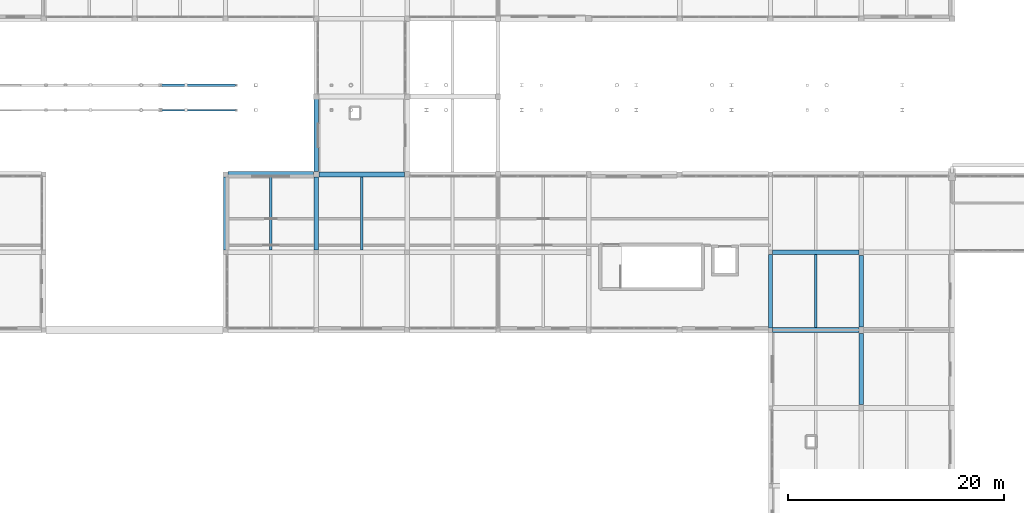
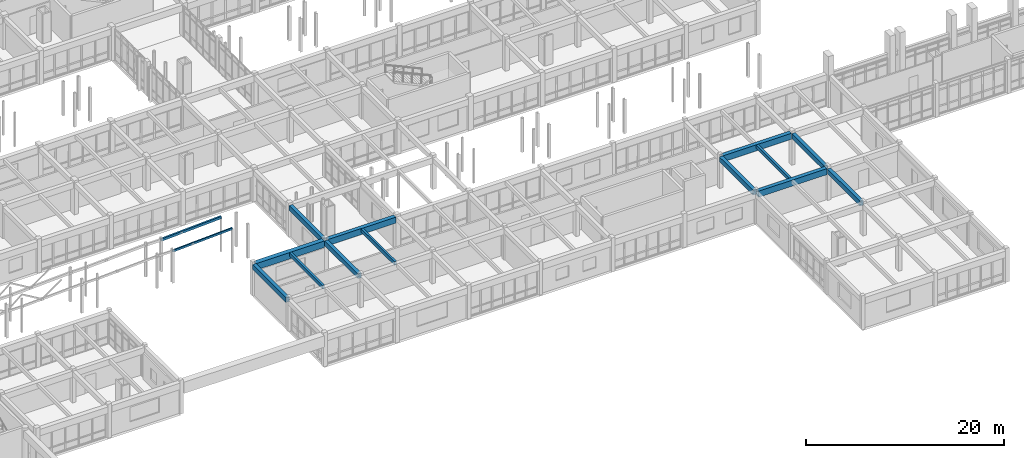
# One storey, part 45 of 147: 13 beams, 2 members.
"""IFC4 building model written with IfcOpenShell, lengths in metres."""

from ifc_helpers import new_model, si_unit, direction, frame, origin, origin_2d, place, context, subcontext, project, spatial, rectangle, hollow_rectangle, extrude, material, material_profile, profile_set, type_object, element, save


model = new_model("IFC4")

# Units and contexts
model_context = context("Model", 3, precision=1e-05, world=origin(), true_north=direction((0.0, 1.0)))
body_context = subcontext(model_context, "Body", "Model", "MODEL_VIEW")
ifc_project = project(units=[si_unit("LENGTHUNIT", "METRE"), si_unit("AREAUNIT", "SQUARE_METRE"), si_unit("VOLUMEUNIT", "CUBIC_METRE"), si_unit("PLANEANGLEUNIT", "RADIAN"), si_unit("MASSUNIT", "GRAM", prefix="KILO")], contexts=[model_context])

# Site, building, storey
site_placement = place(None, origin())
site = spatial("IfcSite", under=ifc_project, at=site_placement, CompositionType="ELEMENT")
building_placement = place(site_placement, origin())
building = spatial("IfcBuilding", under=site, at=building_placement, Name="Malvenik Polytechnic", CompositionType="ELEMENT")
storey_placement = place(building_placement, frame((0.0, 0.0, 5.10009765625)))
storey = spatial("IfcBuildingStorey", under=building, at=storey_placement, Name="L01", CompositionType="ELEMENT", Elevation=5.10009765625)

# Beams
ifc_material_1 = material(Name="Concrete C35/45", Category="concrete")
ifc_material_profile_1 = material_profile(ifc_material_1, rectangle(XDim=0.449951171875, YDim=0.75, at=origin_2d()), Name="RC BM 450x750")
ifc_profile_set_1 = profile_set([ifc_material_profile_1], Name="Concrete C35/45")
beam_type_1 = type_object("IfcBeamType", Name="STR-BM-B-03", PredefinedType="BEAM", material=ifc_profile_set_1)
for number, where, z_axis, x_axis, name in (
    (1, (117.798095703125, 21.60009765625, 3.544921875), (1.0, 0.0, 0.0), (0.0, 1.0, 0.0), "Primary Beam B-03 L01 #977"),
    (2, (117.798095703125, 28.800048828125, 3.544921875), (1.0, 0.0, 0.0), (0.0, 1.0, 0.0), "Primary Beam B-03 L01 #985"),
):
    element("IfcBeam", number, at=place(storey_placement, frame(where, z_axis=z_axis, x_axis=x_axis)), inside=storey, type_object=beam_type_1, Name=name, PredefinedType="BEAM", context=body_context, shape_type="SweptSolid", body=[
        extrude(rectangle(XDim=0.449951171875, YDim=0.75, at=origin_2d()), origin(), (0.0, 0.0, 1.0), 8.00390625),
    ])
beam_1_placement = place(storey_placement, frame((75.847900390625, 36.0, 3.544921875), z_axis=(1.0, 0.0, 0.0), x_axis=(0.0, 1.0, 0.0)))
element("IfcBeam", 3, at=beam_1_placement, inside=storey, type_object=beam_type_1, Name="Primary Beam B-03 L01 #991", PredefinedType="BEAM", context=body_context, shape_type="SweptSolid", body=[
    extrude(rectangle(XDim=0.449951171875, YDim=0.75, at=origin_2d()), origin(), (0.0, 0.0, 1.0), 7.904052734375),
])
ifc_material_profile_2 = material_profile(ifc_material_1, rectangle(XDim=0.39990234375, YDim=0.60009765625, at=origin_2d()), Name="RC BM 400x600")
ifc_profile_set_2 = profile_set([ifc_material_profile_2], Name="Concrete C35/45")
beam_type_2 = type_object("IfcBeamType", Name="STR-BM-B-06", PredefinedType="BEAM", material=ifc_profile_set_2)
beam_2_placement = place(storey_placement, frame((67.199951171875, 29.02294921875, 3.619873046875), z_axis=(0.0, 1.0, 0.0), x_axis=(-1.0, 0.0, 0.0)))
element("IfcBeam", 4, at=beam_2_placement, inside=storey, type_object=beam_type_2, Name="Transverse Beam B-06 L01 #1172", PredefinedType="BEAM", context=body_context, shape_type="SweptSolid", body=[
    extrude(rectangle(XDim=0.39990234375, YDim=0.60009765625, at=origin_2d()), origin(), (0.0, 0.0, 1.0), 6.754150390625),
])
beam_3_placement = place(storey_placement, frame((75.60009765625, 29.02294921875, 3.619873046875), z_axis=(0.0, 1.0, 0.0), x_axis=(-1.0, 0.0, 0.0)))
element("IfcBeam", 5, at=beam_3_placement, inside=storey, type_object=beam_type_2, Name="Transverse Beam B-06 L01 #1180", PredefinedType="BEAM", context=body_context, shape_type="SweptSolid", body=[
    extrude(rectangle(XDim=0.39990234375, YDim=0.60009765625, at=origin_2d()), origin(), (0.0, 0.0, 1.0), 6.72900390625),
])
beam_4_placement = place(storey_placement, frame((75.60009765625, 36.248046875, 3.619873046875), z_axis=(0.0, 1.0, 0.0), x_axis=(-1.0, 0.0, 0.0)))
element("IfcBeam", 6, at=beam_4_placement, inside=storey, type_object=beam_type_2, Name="Transverse Beam B-06 L01 #1181", PredefinedType="BEAM", context=body_context, shape_type="SweptSolid", body=[
    extrude(rectangle(XDim=0.39990234375, YDim=0.60009765625, at=origin_2d()), origin(), (0.0, 0.0, 1.0), 6.703857421875),
])
beam_5_placement = place(storey_placement, frame((117.60009765625, 21.798095703125, 3.619873046875), z_axis=(0.0, 1.0, 0.0), x_axis=(-1.0, 0.0, 0.0)))
element("IfcBeam", 7, at=beam_5_placement, inside=storey, type_object=beam_type_2, Name="Transverse Beam B-06 L01 #1220", PredefinedType="BEAM", context=body_context, shape_type="SweptSolid", body=[
    extrude(rectangle(XDim=0.39990234375, YDim=0.60009765625, at=origin_2d()), origin(), (0.0, 0.0, 1.0), 6.803955078125),
])
for number, where, z_axis, x_axis, name in (
    (8, (126.0, 14.697998046875, 3.619873046875), (0.0, 1.0, 0.0), (-1.0, 0.0, 0.0), "Transverse Beam B-06 L01 #1230"),
    (9, (126.0, 21.89794921875, 3.619873046875), (0.0, 1.0, 0.0), (-1.0, 0.0, 0.0), "Transverse Beam B-06 L01 #1231"),
):
    element("IfcBeam", number, at=place(storey_placement, frame(where, z_axis=z_axis, x_axis=x_axis)), inside=storey, type_object=beam_type_2, Name=name, PredefinedType="BEAM", context=body_context, shape_type="SweptSolid", body=[
        extrude(rectangle(XDim=0.39990234375, YDim=0.60009765625, at=origin_2d()), origin(), (0.0, 0.0, 1.0), 6.60400390625),
    ])
ifc_material_2 = material(Name="Concrete C30/37", Category="concrete")
ifc_material_profile_3 = material_profile(ifc_material_2, rectangle(XDim=0.25, YDim=0.449951171875, at=origin_2d()), Name="RC JST 250x450")
ifc_profile_set_3 = profile_set([ifc_material_profile_3], Name="Concrete C30/37")
beam_type_3 = type_object("IfcBeamType", Name="STR-BM-J-02", PredefinedType="JOIST", material=ifc_profile_set_3)
beam_6_placement = place(storey_placement, frame((71.39990234375, 29.02294921875, 3.69482421875), z_axis=(0.0, 1.0, 0.0), x_axis=(-1.0, 0.0, 0.0)))
element("IfcBeam", 10, at=beam_6_placement, inside=storey, type_object=beam_type_3, Name="Secondary Rib Joist J-02 L01 #1282", PredefinedType="JOIST", context=body_context, shape_type="SweptSolid", body=[
    extrude(rectangle(XDim=0.25, YDim=0.449951171875, at=origin_2d()), origin(), (0.0, 0.0, 1.0), 6.718994140625),
])
beam_7_placement = place(storey_placement, frame((79.800048828125, 29.02294921875, 3.69482421875), z_axis=(0.0, 1.0, 0.0), x_axis=(-1.0, 0.0, 0.0)))
element("IfcBeam", 11, at=beam_7_placement, inside=storey, type_object=beam_type_3, Name="Secondary Rib Joist J-02 L01 #1286", PredefinedType="JOIST", context=body_context, shape_type="SweptSolid", body=[
    extrude(rectangle(XDim=0.25, YDim=0.449951171875, at=origin_2d()), origin(), (0.0, 0.0, 1.0), 6.754150390625),
])
beam_8_placement = place(storey_placement, frame((121.800048828125, 21.822998046875, 3.69482421875), z_axis=(0.0, 1.0, 0.0), x_axis=(-1.0, 0.0, 0.0)))
element("IfcBeam", 12, at=beam_8_placement, inside=storey, type_object=beam_type_3, Name="Secondary Rib Joist J-02 L01 #1312", PredefinedType="JOIST", context=body_context, shape_type="SweptSolid", body=[
    extrude(rectangle(XDim=0.25, YDim=0.449951171875, at=origin_2d()), origin(), (0.0, 0.0, 1.0), 6.75390625),
])
ifc_material_3 = material(Name="Precast concrete C40/50", Category="concrete")
ifc_material_profile_4 = material_profile(ifc_material_3, rectangle(XDim=0.52001953125, YDim=0.800048828125, at=origin_2d()), Name="PC SPN 520x800")
ifc_profile_set_4 = profile_set([ifc_material_profile_4], Name="Precast concrete C40/50")
beam_type_4 = type_object("IfcBeamType", Name="STR-BM-SP-01", PredefinedType="SPANDREL", material=ifc_profile_set_4)
beam_9_placement = place(storey_placement, frame((67.423095703125, 36.0, 3.52001953125), z_axis=(1.0, 0.0, 0.0), x_axis=(0.0, 1.0, 0.0)))
element("IfcBeam", 13, at=beam_9_placement, inside=storey, type_object=beam_type_4, Name="Primary Beam SP-01 L01 #990", PredefinedType="SPANDREL", context=body_context, shape_type="SweptSolid", body=[
    extrude(rectangle(XDim=0.52001953125, YDim=0.800048828125, at=origin_2d()), origin(), (0.0, 0.0, 1.0), 7.928955078125),
])

# Members
ifc_material_4 = material(Name="Steel S355J2H", Category="steel")
ifc_material_profile_5 = material_profile(ifc_material_4, hollow_rectangle(XDim=0.14990234375, YDim=0.25, WallThickness=0.010009765625, at=origin_2d()), Name="RHS 250x150x10.0")
ifc_profile_set_5 = profile_set([ifc_material_profile_5], Name="Steel S355J2H")
member_type_1 = type_object("IfcMemberType", Name="STR-MEM-TRB-01", PredefinedType="CHORD", material=ifc_profile_set_5)
member_1_placement = place(storey_placement, frame((61.2041015625, 41.949951171875, 3.880126953125), z_axis=(0.998752251909, 0.0, 0.049939356288), x_axis=(0.0, 1.0, 0.0)))
element("IfcMember", 14, at=member_1_placement, inside=storey, type_object=member_type_1, Name="Space-Frame Tube TRB-01 STR-TR-BC-RB-01-1-08", PredefinedType="CHORD", context=body_context, shape_type="SweptSolid", body=[
    extrude(hollow_rectangle(XDim=0.14990234375, YDim=0.25, WallThickness=0.010009765625, at=origin_2d()), origin(), (0.0, 0.0, 1.0), 7.000732421875),
])
ifc_material_profile_6 = material_profile(ifc_material_4, hollow_rectangle(XDim=0.199951171875, YDim=0.300048828125, WallThickness=0.010009765625, at=origin_2d()), Name="RHS 300x200x10.0")
ifc_profile_set_6 = profile_set([ifc_material_profile_6], Name="Steel S355J2H")
member_type_2 = type_object("IfcMemberType", Name="STR-MEM-TRB-02", PredefinedType="CHORD", material=ifc_profile_set_6)
member_2_placement = place(storey_placement, frame((61.2041015625, 44.25, 3.880126953125), z_axis=(0.998752251909, 0.0, 0.049939356288), x_axis=(0.0, 1.0, 0.0)))
element("IfcMember", 15, at=member_2_placement, inside=storey, type_object=member_type_2, Name="Space-Frame Tube TRB-02 STR-TR-BC-RB-01-2-08", PredefinedType="CHORD", context=body_context, shape_type="SweptSolid", body=[
    extrude(hollow_rectangle(XDim=0.199951171875, YDim=0.300048828125, WallThickness=0.010009765625, at=origin_2d()), origin(), (0.0, 0.0, 1.0), 7.000732421875),
])

save(model, "model.ifc")
